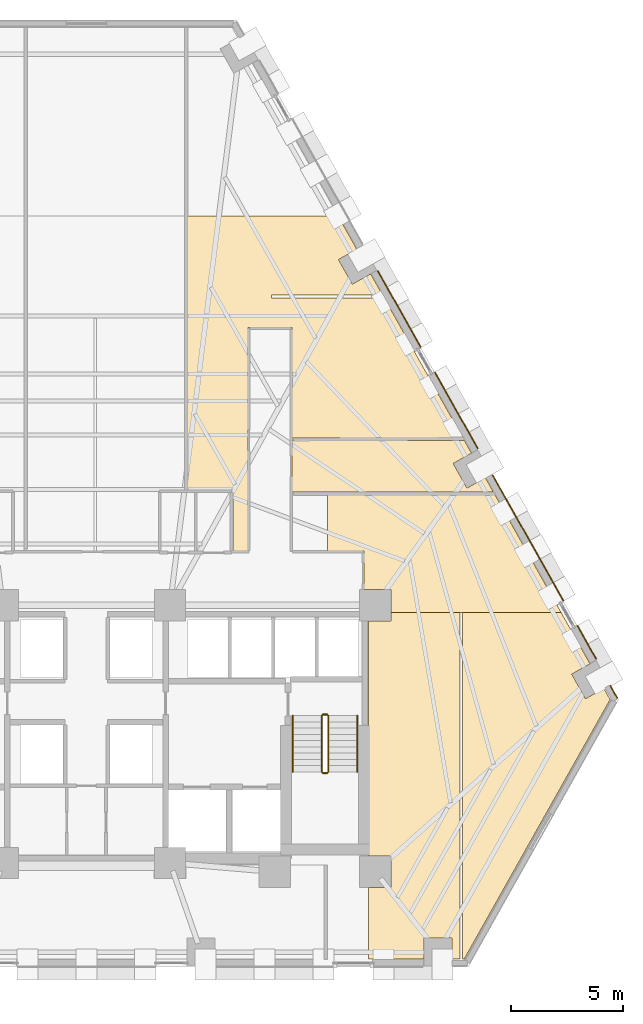
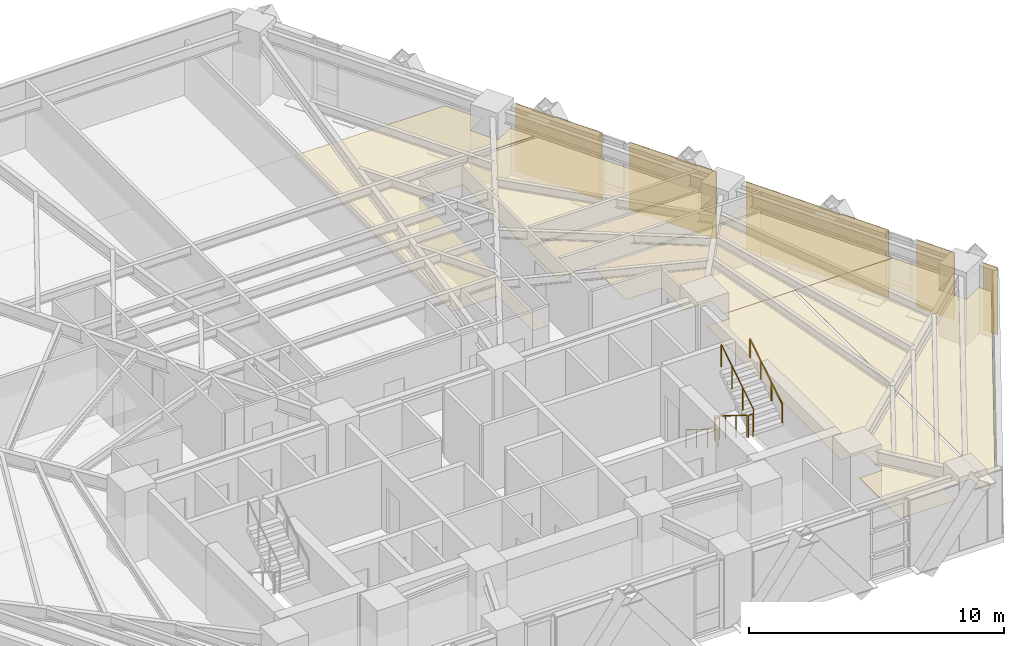
# One storey, part 12 of 13: 10 coverings, 6 railings.
"""IFC4 building model written with IfcOpenShell, lengths in metres."""

from ifc_helpers import new_model, si_unit, direction, frame, origin, origin_2d, place, context, subcontext, project, spatial, polyline, circle, outline, extrude, material, layer, layer_set, type_object, element, save


model = new_model("IFC4")

# Units and contexts
model_context = context("Model", 3, precision=1e-05, world=origin(), true_north=direction((0.0, 1.0)))
body_context = subcontext(model_context, "Body", "Model", "MODEL_VIEW")
ifc_project = project(units=[si_unit("LENGTHUNIT", "METRE"), si_unit("AREAUNIT", "SQUARE_METRE"), si_unit("VOLUMEUNIT", "CUBIC_METRE"), si_unit("PLANEANGLEUNIT", "RADIAN"), si_unit("MASSUNIT", "GRAM", prefix="KILO")], contexts=[model_context])

# Site, building, storey
site_placement = place(None, origin())
site = spatial("IfcSite", under=ifc_project, at=site_placement, CompositionType="ELEMENT")
building_placement = place(site_placement, origin())
building = spatial("IfcBuilding", under=site, at=building_placement, Name="Quenlor Broadcast Tower", CompositionType="ELEMENT")
storey_placement = place(building_placement, frame((0.0, 0.0, 66.10009765625)))
storey = spatial("IfcBuildingStorey", under=building, at=storey_placement, Name="L17", CompositionType="ELEMENT", Elevation=66.10009765625)

# Coverings
ifc_material_1 = material(Name="Acoustic Mineral Fibre Board", Category="other")
ifc_layer_1 = layer(ifc_material_1, 0.02490234375)
ifc_layer_set_1 = layer_set([ifc_layer_1], Name="Acoustic Perforated Mineral Tile Ceiling 25")
covering_type_1 = type_object("IfcCoveringType", Name="Acoustic Perforated Mineral Tile Ceiling 25", PredefinedType="CEILING", material=ifc_layer_set_1)
covering_1_placement = place(storey_placement, frame((0.0, 0.0, 2.224853515625)))
element("IfcCovering", 1, at=covering_1_placement, inside=storey, type_object=covering_type_1, Name="L17 Acoustic Ceiling L17-35", PredefinedType="CEILING", context=body_context, shape_type="SweptSolid", body=[
    extrude(outline(polyline([(12.122802734375, 11.154541015625), (11.301025390625, 10.6923828125), (11.921630859375, 9.5888671875), (12.74365234375, 10.05126953125), (13.27880859375, 9.10009765625), (8.300048828125, 9.10009765625), (8.300048828125, 8.97998046875), (13.34619140625, 8.97998046875), (16.878662109375, 2.699951171875), (9.2099609375, 2.699951171875), (9.2099609375, 7.639892578125), (7.25, 7.639892578125), (7.25, -2.3701171875), (6.570068359375, -2.3701171875), (6.570068359375, 0.3701171875), (4.52001953125, 0.3701171875), (4.52001953125, 12.64990234375), (11.28173828125, 12.64990234375), (12.122802734375, 11.154541015625)])), origin(), (0.0, 0.0, 1.0), 0.025146484375),
])
covering_2_placement = place(storey_placement, frame((0.0, 0.0, 2.224853515625)))
element("IfcCovering", 2, at=covering_2_placement, inside=storey, type_object=covering_type_1, Name="L17 Acoustic Ceiling L17-37", PredefinedType="CEILING", context=body_context, shape_type="SweptSolid", body=[
    extrude(outline(polyline([(16.44189453125, 1.552978515625), (17.0625, 0.44970703125), (17.884521484375, 0.912109375), (18.239990234375, 0.27978515625), (9.2099609375, 0.27978515625), (9.2099609375, 2.580078125), (16.9462890625, 2.580078125), (17.263671875, 2.015380859375), (16.44189453125, 1.552978515625)])), origin(), (0.0, 0.0, 1.0), 0.025146484375),
])
covering_3_placement = place(storey_placement, frame((0.0, 0.0, 2.224853515625)))
element("IfcCovering", 3, at=covering_3_placement, inside=storey, type_object=covering_type_1, Name="L17 Acoustic Ceiling L17-38", PredefinedType="CEILING", context=body_context, shape_type="SweptSolid", body=[
    extrude(outline(polyline([(13.657958984375, -4.092041015625), (12.43994140625, -4.092041015625), (12.43994140625, -2.3701171875), (10.804931640625, -2.3701171875), (10.804931640625, 0.15966796875), (18.3076171875, 0.15966796875), (21.27734375, -5.1201171875), (16.860107421875, -5.1201171875), (16.739990234375, -5.1201171875), (13.657958984375, -5.1201171875), (13.657958984375, -4.092041015625)])), origin(), (0.0, 0.0, 1.0), 0.025146484375),
])
covering_4_placement = place(storey_placement, frame((0.0, 0.0, 2.224853515625)))
element("IfcCovering", 4, at=covering_4_placement, inside=storey, type_object=covering_type_1, Name="L17 Acoustic Ceiling L17-38-2", PredefinedType="CEILING", context=body_context, shape_type="SweptSolid", body=[
    extrude(outline(polyline([(13.657958984375, -5.1201171875), (16.739990234375, -5.1201171875), (16.739990234375, -20.659912109375), (16.398193359375, -20.659912109375), (16.398193359375, -19.717041015625), (15.132080078125, -19.717041015625), (15.132080078125, -20.659912109375), (12.64990234375, -20.659912109375), (12.64990234375, -17.4580078125), (13.657958984375, -17.4580078125), (13.657958984375, -16.0419921875), (12.64990234375, -16.0419921875), (12.64990234375, -5.508056640625), (13.657958984375, -5.508056640625), (13.657958984375, -5.1201171875)])), origin(), (0.0, 0.0, 1.0), 0.025146484375),
])
covering_5_placement = place(storey_placement, frame((0.0, 0.0, 2.224853515625)))
element("IfcCovering", 5, at=covering_5_placement, inside=storey, type_object=covering_type_1, Name="L17 Acoustic Ceiling L17-38-3", PredefinedType="CEILING", context=body_context, shape_type="SweptSolid", body=[
    extrude(outline(polyline([(22.575927734375, -7.428466796875), (21.754150390625, -7.890625), (22.374755859375, -8.994140625), (23.196533203125, -8.531982421875), (23.477783203125, -9.031982421875), (16.937255859375, -20.659912109375), (16.860107421875, -20.659912109375), (16.860107421875, -5.1201171875), (21.27734375, -5.1201171875), (22.575927734375, -7.428466796875)])), origin(), (0.0, 0.0, 1.0), 0.025146484375),
])
ifc_material_2 = material(Name="Architectural Terracotta Ceramic", Category="masonry")
ifc_layer_2 = layer(ifc_material_2, 0.044921875)
ifc_layer_set_2 = layer_set([ifc_layer_2], Name="Fluted Terracotta Rainscreen Cladding Panel")
covering_type_2 = type_object("IfcCoveringType", Name="Fluted Terracotta Rainscreen Cladding Panel", PredefinedType="CLADDING", material=ifc_layer_set_2)
covering_6_placement = place(storey_placement, frame((0.0, 0.0, 0.02001953125)))
element("IfcCovering", 6, at=covering_6_placement, inside=storey, type_object=covering_type_2, Name="L17 Terracotta Rainscreen Cladding L17-SHD-NES1", PredefinedType="CLADDING", context=body_context, shape_type="SweptSolid", body=[
    extrude(outline(polyline([(23.464111328125, -8.412109375), (23.781982421875, -8.97705078125), (23.8212890625, -8.955078125), (23.50341796875, -8.39013671875), (23.464111328125, -8.412109375)])), origin(), (0.0, 0.0, 1.0), 3.2099609375),
])
covering_7_placement = place(storey_placement, frame((0.0, 0.0, 0.02001953125)))
element("IfcCovering", 7, at=covering_7_placement, inside=storey, type_object=covering_type_2, Name="L17 Terracotta Rainscreen Cladding L17-NEC-SP1", PredefinedType="CLADDING", context=body_context, shape_type="SweptSolid", body=[
    extrude(outline(polyline([(18.18798828125, 1.029052734375), (21.3671875, -4.622802734375), (21.406494140625, -4.6005859375), (18.227294921875, 1.051025390625), (18.18798828125, 1.029052734375)])), origin(), (0.0, 0.0, 1.0), 3.2099609375),
])
covering_8_placement = place(storey_placement, frame((0.0, 0.0, 0.02001953125)))
element("IfcCovering", 8, at=covering_8_placement, inside=storey, type_object=covering_type_2, Name="L17 Terracotta Rainscreen Cladding L17-NEC-SP2", PredefinedType="CLADDING", context=body_context, shape_type="SweptSolid", body=[
    extrude(outline(polyline([(21.988525390625, -5.727294921875), (22.83349609375, -7.2294921875), (22.872802734375, -7.20751953125), (22.027587890625, -5.705322265625), (21.988525390625, -5.727294921875)])), origin(), (0.0, 0.0, 1.0), 3.2099609375),
])
covering_9_placement = place(storey_placement, frame((0.0, 0.0, 0.02001953125)))
element("IfcCovering", 9, at=covering_9_placement, inside=storey, type_object=covering_type_2, Name="L17 Terracotta Rainscreen Cladding L17-NE-SP1", PredefinedType="CLADDING", context=body_context, shape_type="SweptSolid", body=[
    extrude(outline(polyline([(13.044921875, 10.172607421875), (14.9736328125, 6.74365234375), (15.0126953125, 6.765625), (13.083984375, 10.194580078125), (13.044921875, 10.172607421875)])), origin(), (0.0, 0.0, 1.0), 3.2099609375),
])
covering_10_placement = place(storey_placement, frame((0.0, 0.0, 0.02001953125)))
element("IfcCovering", 10, at=covering_10_placement, inside=storey, type_object=covering_type_2, Name="L17 Terracotta Rainscreen Cladding L17-NE-SP2", PredefinedType="CLADDING", context=body_context, shape_type="SweptSolid", body=[
    extrude(outline(polyline([(15.594970703125, 5.638916015625), (17.523681640625, 2.2099609375), (17.56298828125, 2.23193359375), (15.63427734375, 5.660888671875), (15.594970703125, 5.638916015625)])), origin(), (0.0, 0.0, 1.0), 3.2099609375),
])

# Railings
ifc_material_3 = material(Name="Anodised Aluminium", Category="aluminium")
railing_type_1 = type_object("IfcRailingType", Name="Stainless Aluminium Wall Handrail 900", PredefinedType="HANDRAIL", material=ifc_material_3)
railing_1_placement = place(storey_placement, frame((9.25, -9.75, 0.1748046875)))
element("IfcRailing", 11, at=railing_1_placement, inside=storey, type_object=railing_type_1, Name="L17 ST-2 stair handrail 1", PredefinedType="HANDRAIL", context=body_context, shape_type="SweptSolid", body=[
    extrude(circle(Radius=0.02392578125, at=origin_2d()), frame((0.0, 0.0, 0.8759765625), z_axis=(0.0, -0.847970611238, 0.530043245855), x_axis=(1.0, 0.0, 0.0)), (0.0, 0.0, 1.0), 2.971923828125),
    extrude(circle(Radius=0.02099609375, at=origin_2d()), origin(), (0.0, 0.0, 1.0), 0.851806640625),
    extrude(circle(Radius=0.02099609375, at=origin_2d()), frame((0.0, -0.840087890625, 0.525146484375)), (0.0, 0.0, 1.0), 0.851806640625),
    extrude(circle(Radius=0.02099609375, at=origin_2d()), frame((0.0, -1.679931640625, 1.050048828125)), (0.0, 0.0, 1.0), 0.851806640625),
    extrude(circle(Radius=0.02099609375, at=origin_2d()), frame((0.0, -2.52001953125, 1.5751953125)), (0.0, 0.0, 1.0), 0.851806640625),
])
railing_2_placement = place(storey_placement, frame((12.14990234375, -12.27001953125, 1.9248046875)))
element("IfcRailing", 12, at=railing_2_placement, inside=storey, type_object=railing_type_1, Name="L17 ST-2 stair handrail 2", PredefinedType="HANDRAIL", context=body_context, shape_type="SweptSolid", body=[
    extrude(circle(Radius=0.02392578125, at=origin_2d()), frame((0.0, 0.0, 0.8759765625), z_axis=(0.0, 0.847970611238, 0.530043245855), x_axis=(-1.0, 0.0, 0.0)), (0.0, 0.0, 1.0), 2.971923828125),
    extrude(circle(Radius=0.02099609375, at=origin_2d()), origin(), (0.0, 0.0, 1.0), 0.851806640625),
    extrude(circle(Radius=0.02099609375, at=origin_2d()), frame((0.0, 0.840087890625, 0.525146484375)), (0.0, 0.0, 1.0), 0.851806640625),
    extrude(circle(Radius=0.02099609375, at=origin_2d()), frame((0.0, 1.679931640625, 1.050048828125)), (0.0, 0.0, 1.0), 0.851806640625),
    extrude(circle(Radius=0.02099609375, at=origin_2d()), frame((0.0, 2.52001953125, 1.5751953125)), (0.0, 0.0, 1.0), 0.851806640625),
])
ifc_material_4 = material(Name="Steel S355", Category="steel")
railing_type_2 = type_object("IfcRailingType", Name="Tubular Steel S355 Stair Guardrail 1100", PredefinedType="BALUSTRADE", material=ifc_material_4)
railing_3_placement = place(storey_placement, frame((10.550048828125, -9.75, 0.1748046875)))
element("IfcRailing", 13, at=railing_3_placement, inside=storey, type_object=railing_type_2, Name="L17 ST-2 stair guard 1", PredefinedType="BALUSTRADE", context=body_context, shape_type="SweptSolid", body=[
    extrude(circle(Radius=0.02392578125, at=origin_2d()), frame((0.0, 0.0, 1.076171875), z_axis=(0.0, -0.847970611238, 0.530043245855), x_axis=(1.0, 0.0, 0.0)), (0.0, 0.0, 1.0), 2.971923828125),
    extrude(circle(Radius=0.02099609375, at=origin_2d()), origin(), (0.0, 0.0, 1.0), 1.052001953125),
    extrude(circle(Radius=0.02099609375, at=origin_2d()), frame((0.0, -0.840087890625, 0.525146484375)), (0.0, 0.0, 1.0), 1.052001953125),
    extrude(circle(Radius=0.02099609375, at=origin_2d()), frame((0.0, -1.679931640625, 1.050048828125)), (0.0, 0.0, 1.0), 1.052001953125),
    extrude(circle(Radius=0.02099609375, at=origin_2d()), frame((0.0, -2.52001953125, 1.5751953125)), (0.0, 0.0, 1.0), 1.052001953125),
])
railing_4_placement = place(storey_placement, frame((10.60009765625, -12.320068359375, 1.75)))
element("IfcRailing", 14, at=railing_4_placement, inside=storey, type_object=railing_type_2, Name="L17 ST-2 stair guard 2", PredefinedType="BALUSTRADE", context=body_context, shape_type="SweptSolid", body=[
    extrude(circle(Radius=0.02392578125, at=origin_2d()), frame((0.0, 0.0, 1.076171875), z_axis=(1.0, 0.0, 0.0), x_axis=(0.0, 1.0, 0.0)), (0.0, 0.0, 1.0), 0.199951171875),
    extrude(circle(Radius=0.02099609375, at=origin_2d()), origin(), (0.0, 0.0, 1.0), 1.052001953125),
    extrude(circle(Radius=0.02099609375, at=origin_2d()), frame((0.199951171875, 0.0, 0.0)), (0.0, 0.0, 1.0), 1.052001953125),
])
railing_5_placement = place(storey_placement, frame((10.85009765625, -12.27001953125, 1.9248046875)))
element("IfcRailing", 15, at=railing_5_placement, inside=storey, type_object=railing_type_2, Name="L17 ST-2 stair guard 3", PredefinedType="BALUSTRADE", context=body_context, shape_type="SweptSolid", body=[
    extrude(circle(Radius=0.02392578125, at=origin_2d()), frame((0.0, 0.0, 1.076171875), z_axis=(0.0, 0.847970611238, 0.530043245855), x_axis=(-1.0, 0.0, 0.0)), (0.0, 0.0, 1.0), 2.971923828125),
    extrude(circle(Radius=0.02099609375, at=origin_2d()), origin(), (0.0, 0.0, 1.0), 1.052001953125),
    extrude(circle(Radius=0.02099609375, at=origin_2d()), frame((0.0, 0.840087890625, 0.525146484375)), (0.0, 0.0, 1.0), 1.052001953125),
    extrude(circle(Radius=0.02099609375, at=origin_2d()), frame((0.0, 1.679931640625, 1.050048828125)), (0.0, 0.0, 1.0), 1.052001953125),
    extrude(circle(Radius=0.02099609375, at=origin_2d()), frame((0.0, 2.52001953125, 1.5751953125)), (0.0, 0.0, 1.0), 1.052001953125),
])
railing_6_placement = place(storey_placement, frame((10.60009765625, -9.699951171875, 0.0)))
element("IfcRailing", 16, at=railing_6_placement, inside=storey, type_object=railing_type_2, Name="L17 ST-2 stair guard 4", PredefinedType="BALUSTRADE", context=body_context, shape_type="SweptSolid", body=[
    extrude(circle(Radius=0.02392578125, at=origin_2d()), frame((0.0, 0.0, 1.076171875), z_axis=(1.0, 0.0, 0.0), x_axis=(0.0, 1.0, 0.0)), (0.0, 0.0, 1.0), 0.199951171875),
    extrude(circle(Radius=0.02099609375, at=origin_2d()), origin(), (0.0, 0.0, 1.0), 1.052001953125),
    extrude(circle(Radius=0.02099609375, at=origin_2d()), frame((0.199951171875, 0.0, 0.0)), (0.0, 0.0, 1.0), 1.052001953125),
])

save(model, "model.ifc")
